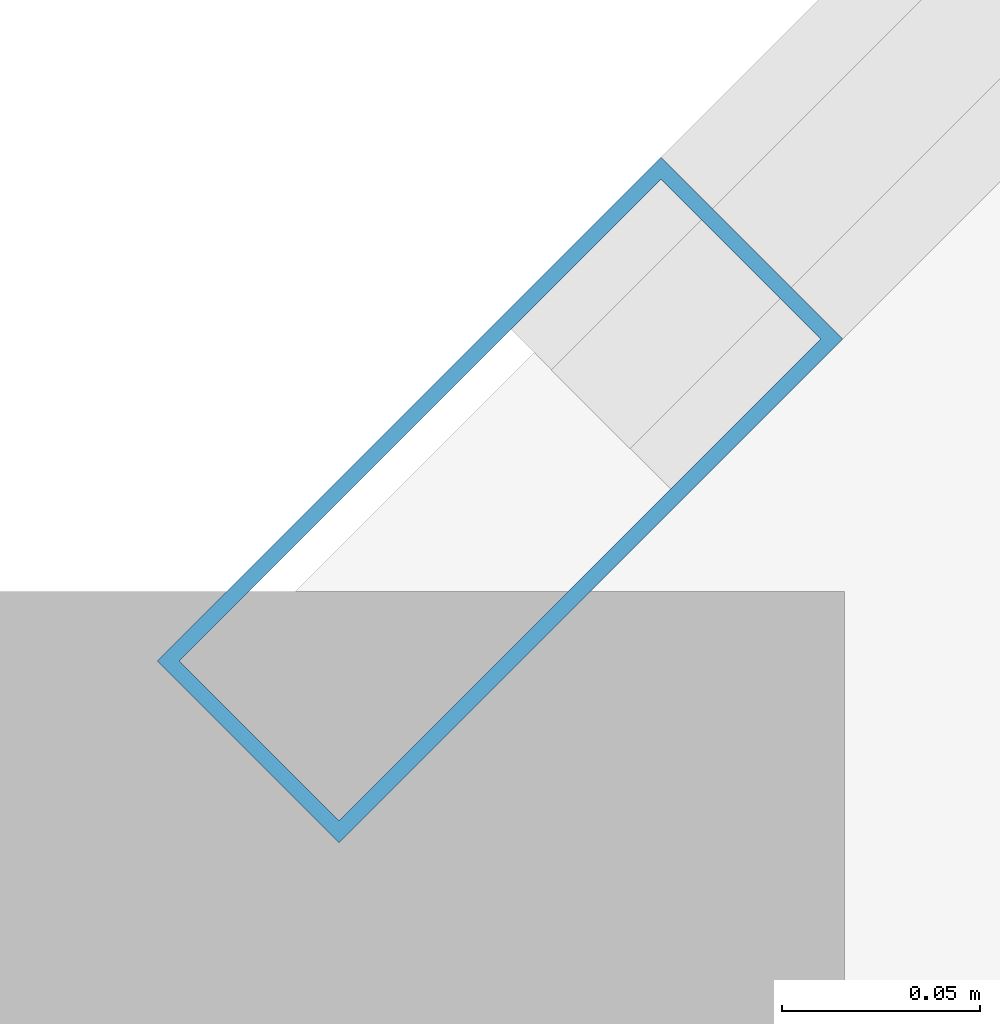
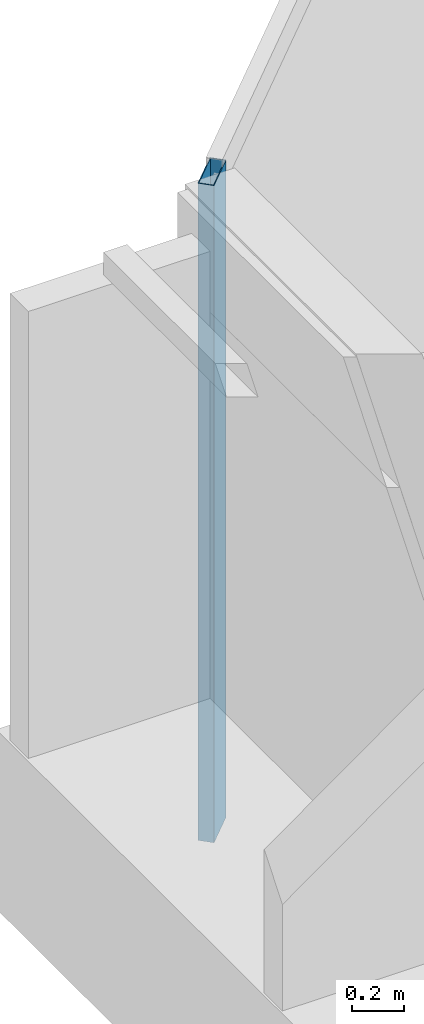
# One storey, part 5 of 29: 1 member, 1 element without a shape of its own.
"""IFC4 building model written with IfcOpenShell, lengths in metres."""

from ifc_helpers import new_model, si_unit, direction, frame, origin, origin_2d, place, context, subcontext, project, spatial, hollow_rectangle, extrude, material, layer, layer_set, material_profile, profile_set, type_object, element, aggregate, save


model = new_model("IFC4")

# Units and contexts
model_context = context("Model", 3, precision=1e-05, world=origin(), true_north=direction((0.0, 1.0)))
body_context = subcontext(model_context, "Body", "Model", "MODEL_VIEW")
ifc_project = project(units=[si_unit("LENGTHUNIT", "METRE"), si_unit("AREAUNIT", "SQUARE_METRE"), si_unit("VOLUMEUNIT", "CUBIC_METRE"), si_unit("PLANEANGLEUNIT", "RADIAN"), si_unit("MASSUNIT", "GRAM", prefix="KILO")], contexts=[model_context])

# Site, building, storey
site_placement = place(None, origin())
site = spatial("IfcSite", under=ifc_project, at=site_placement, CompositionType="ELEMENT")
building_placement = place(site_placement, origin())
building = spatial("IfcBuilding", under=site, at=building_placement, Name="Tanjung Sevakor Pilgrim Tower", CompositionType="ELEMENT")
storey_placement = place(building_placement, frame((0.0, 0.0, 232.64990234375)))
storey = spatial("IfcBuildingStorey", under=building, at=storey_placement, Name="L65", CompositionType="ELEMENT", Elevation=232.64990234375)

# Curtain wall, member
ifc_material_1 = material(Name="Aluminium 6063-T6 and Low-E Glass", Category="aluminium")
ifc_layer = layer(ifc_material_1, 0.179931640625)
ifc_layer_set = layer_set([ifc_layer], Name="CW-SYS-CHAM")
curtain_wall_type = type_object("IfcCurtainWallType", Name="CW-SYS-CHAM", PredefinedType="NOTDEFINED", material=ifc_layer_set)
curtain_wall_placement = place(storey_placement, origin())
curtain_wall = element("IfcCurtainWall", 1, at=curtain_wall_placement, inside=storey, type_object=curtain_wall_type, Name="L65 Curtain Wall CW-CHM-L65-WEST-5", PredefinedType="NOTDEFINED")
ifc_material_2 = material(Name="Aluminium 6063-T6", Category="aluminium")
ifc_material_profile = material_profile(ifc_material_2, hollow_rectangle(XDim=0.06494140625, YDim=0.179931640625, WallThickness=0.00390625, at=origin_2d()))
ifc_profile_set = profile_set([ifc_material_profile], Name="Aluminium 6063-T6")
member_type = type_object("IfcMemberType", Name="TYPE-CWM-1", PredefinedType="MULLION", material=ifc_profile_set)
member_placement = place(storey_placement, frame((22.133056640625, 43.577392578125, 0.0), z_axis=(0.0, 0.0, 1.0), x_axis=(0.707106781187, -0.707106781187, 0.0)))
member = element("IfcMember", 2, at=member_placement, type_object=member_type, Name="CW-CHM mullion 2", PredefinedType="MULLION", context=body_context, shape_type="SweptSolid", body=[
    extrude(hollow_rectangle(XDim=0.06494140625, YDim=0.179931640625, WallThickness=0.00390625, at=origin_2d()), origin(), (0.0, 0.0, 1.0), 3.080078125),
])
aggregate(curtain_wall, [member])

save(model, "model.ifc")
